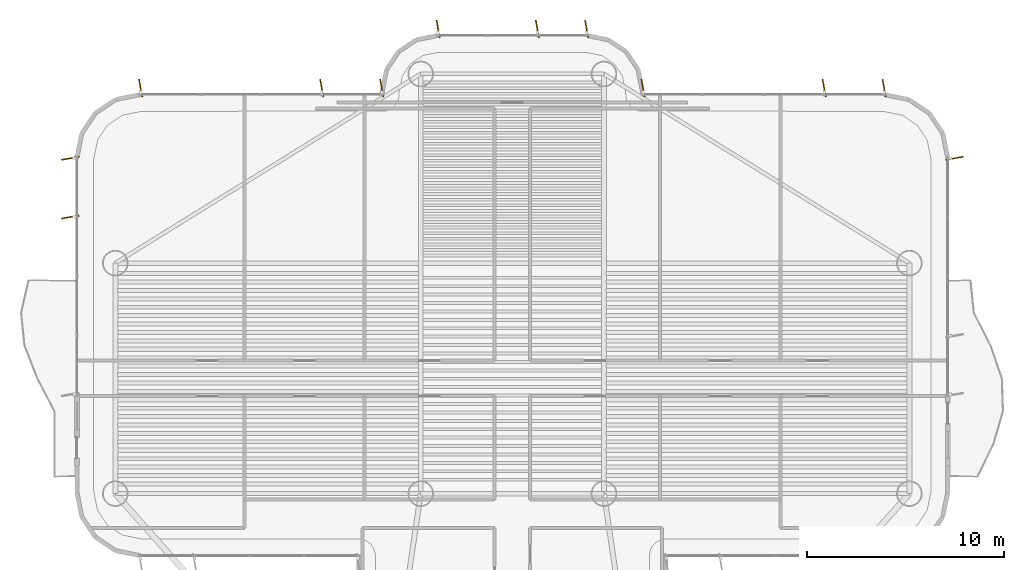
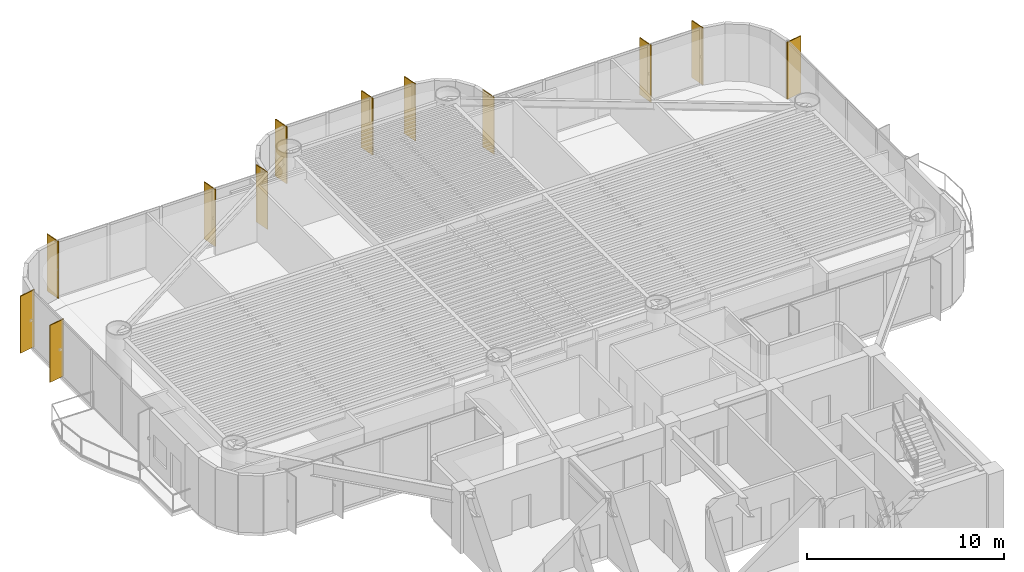
# One storey, part 16 of 16: 12 shading devices.
"""IFC4 building model written with IfcOpenShell, lengths in metres."""

import ifcopenshell
import ifcopenshell.guid

model = None  # the IFC model being written
_history = None  # IfcOwnerHistory: only IFC2X3 demands one
_inside = {}  # id of a spatial element -> (the spatial element, [elements in it])
_under = {}  # id of a project, library or spatial element -> (it, [spatial elements below it])
_declared = {}  # id of a project -> (the project, [libraries it declares])
_typed = {}  # id of a type object -> (the type object, [elements of that type])
_made_of = {}  # id of a material, layer set ... -> (it, [elements and type objects made of it])


def new_model(schema):
    """Start an empty IFC model of exactly this schema.

    Asked for "IFC4X3", IfcOpenShell would pick the latest addendum, in which some entities
    have other attributes; the version numbers below select the first issue.
    IFC2X3 requires an IfcOwnerHistory on every rooted entity: one is made here for all.
    """
    global model, _history
    if schema == "IFC4X3":
        model = ifcopenshell.file(schema_version=(4, 3, 0, 0))
    else:
        model = ifcopenshell.file(schema=schema)
    _inside.clear()
    _under.clear()
    _declared.clear()
    _typed.clear()
    _made_of.clear()
    _history = None
    if model.schema == "IFC2X3":
        org = make("IfcOrganization", Name="unknown")
        user = make(
            "IfcPersonAndOrganization",
            ThePerson=make("IfcPerson", FamilyName="unknown"),
            TheOrganization=org,
        )
        app = make(
            "IfcApplication",
            ApplicationDeveloper=org,
            Version="unknown",
            ApplicationFullName="unknown",
            ApplicationIdentifier="unknown",
        )
        _history = make(
            "IfcOwnerHistory",
            OwningUser=user,
            OwningApplication=app,
            ChangeAction="ADDED",
            CreationDate=0,
        )
    return model


def make(cls, **values):
    """One entity of the class cls with the attributes given. An attribute that is None is left unset."""
    return model.create_entity(
        cls, **{name: value for name, value in values.items() if value is not None}
    )


def rooted(cls, **values):
    """An entity with a GlobalId (a new one), such as an element, a storey or a relation."""
    return make(cls, GlobalId=ifcopenshell.guid.new(), OwnerHistory=_history, **values)


def si_unit(unit_type, name, prefix=None):
    """IfcSIUnit, for example si_unit("LENGTHUNIT", "METRE", prefix="MILLI")."""
    return make("IfcSIUnit", UnitType=unit_type, Prefix=prefix, Name=name)


def assignment(units):
    """IfcUnitAssignment: the units of a project."""
    return None if units is None else make("IfcUnitAssignment", Units=units)


def point(xyz):
    """IfcCartesianPoint."""
    return None if xyz is None else make("IfcCartesianPoint", Coordinates=xyz)


def direction(xyz):
    """IfcDirection."""
    return None if xyz is None else make("IfcDirection", DirectionRatios=xyz)


def frame(location, z_axis=None, x_axis=None):
    """IfcAxis2Placement3D, a coordinate frame: its origin and axes. An axis left out is left unset."""
    return make(
        "IfcAxis2Placement3D",
        Location=point(location),
        Axis=direction(z_axis),
        RefDirection=direction(x_axis),
    )


def frame_2d(location, x_axis=None):
    """IfcAxis2Placement2D, a coordinate frame in the plane: its origin and x axis."""
    return make(
        "IfcAxis2Placement2D", Location=point(location), RefDirection=direction(x_axis)
    )


def origin():
    """The frame at (0, 0, 0) with its axes left unset."""
    return frame((0.0, 0.0, 0.0))


def origin_2d():
    """The frame at (0, 0) in the plane with its x axis left unset."""
    return frame_2d((0.0, 0.0))


def place(relative_to, where):
    """IfcLocalPlacement: puts the frame where relative to a parent placement (None: the world)."""
    return make(
        "IfcLocalPlacement", PlacementRelTo=relative_to, RelativePlacement=where
    )


def context(
    kind, dimensions, precision=None, world=None, true_north=None, identifier=None
):
    """IfcGeometricRepresentationContext, for example the 3D "Model" context."""
    return make(
        "IfcGeometricRepresentationContext",
        ContextIdentifier=identifier,
        ContextType=kind,
        CoordinateSpaceDimension=dimensions,
        Precision=precision,
        WorldCoordinateSystem=world,
        TrueNorth=true_north,
    )


def subcontext(parent, identifier, kind, view, scale=None):
    """IfcGeometricRepresentationSubContext, for example "Body" below "Model"."""
    return make(
        "IfcGeometricRepresentationSubContext",
        ContextIdentifier=identifier,
        ContextType=kind,
        ParentContext=parent,
        TargetScale=scale,
        TargetView=view,
    )


def project(units=None, contexts=None):
    """IfcProject with its units and contexts."""
    return rooted(
        "IfcProject",
        Name="project",
        RepresentationContexts=contexts,
        UnitsInContext=assignment(units),
    )


def spatial(cls, under=None, at=None, **own):
    """A site, building, storey or space (cls), placed at a placement, below another one or the project."""
    s = rooted(cls, ObjectPlacement=at, **own)
    if under is not None:
        _under.setdefault(under.id(), (under, []))[1].append(s)
    return s


def profile(cls, at=None, kind="AREA", **sizes):
    """A parametric profile (cls). Its sizes go by their IFC names, for example OverallWidth=200.0."""
    return make(cls, ProfileType=kind, Position=at, **sizes)


def rectangle(**sizes):
    """IfcRectangleProfileDef."""
    return profile("IfcRectangleProfileDef", **sizes)


def extrude(swept, where, along, depth):
    """IfcExtrudedAreaSolid: the profile swept, set in the frame where, extruded along a direction by depth."""
    return make(
        "IfcExtrudedAreaSolid",
        SweptArea=swept,
        Position=where,
        ExtrudedDirection=direction(along),
        Depth=depth,
    )


def shape(context_of_items, identifier, shape_type, items):
    """IfcShapeRepresentation: the items that make up one representation, for example the "Body"."""
    return make(
        "IfcShapeRepresentation",
        ContextOfItems=context_of_items,
        RepresentationIdentifier=identifier,
        RepresentationType=shape_type,
        Items=items,
    )


def source(mapping_origin, context_of_items, identifier, shape_type, items):
    """IfcRepresentationMap: a shape defined once, which mapped items show again and again."""
    return make(
        "IfcRepresentationMap",
        MappingOrigin=mapping_origin,
        MappedRepresentation=shape(context_of_items, identifier, shape_type, items),
    )


def transform(
    local_origin,
    x_axis=None,
    y_axis=None,
    z_axis=None,
    scale=None,
    scale2=None,
    scale3=None,
    uniform=True,
):
    """IfcCartesianTransformationOperator3D, or its non-uniform kind. x_axis, y_axis, z_axis: its Axis1, 2, 3."""
    if uniform:
        return make(
            "IfcCartesianTransformationOperator3D",
            Axis1=direction(x_axis),
            Axis2=direction(y_axis),
            LocalOrigin=point(local_origin),
            Scale=scale,
            Axis3=direction(z_axis),
        )
    return make(
        "IfcCartesianTransformationOperator3DnonUniform",
        Axis1=direction(x_axis),
        Axis2=direction(y_axis),
        LocalOrigin=point(local_origin),
        Scale=scale,
        Axis3=direction(z_axis),
        Scale2=scale2,
        Scale3=scale3,
    )


def mapped(mapping_source, mapping_target):
    """IfcMappedItem: shows the shape of a source again, moved by a transform."""
    return make(
        "IfcMappedItem", MappingSource=mapping_source, MappingTarget=mapping_target
    )


def material(Name=None, Category=None):
    """IfcMaterial."""
    return make("IfcMaterial", Name=Name, Category=Category)


def material_profile(
    of_material, cross_section, Name=None, Category=None, Priority=None
):
    """IfcMaterialProfile: a cross section and its material."""
    return make(
        "IfcMaterialProfile",
        Name=Name,
        Material=of_material,
        Profile=cross_section,
        Priority=Priority,
        Category=Category,
    )


def profile_set(profiles, Name=None, composite=None):
    """IfcMaterialProfileSet."""
    return make(
        "IfcMaterialProfileSet",
        Name=Name,
        MaterialProfiles=profiles,
        CompositeProfile=composite,
    )


def made_of(thing, what):
    """Note that an element or type object is made of a material, layer set ...; save() writes the relation."""
    if what is not None:
        _made_of.setdefault(what.id(), (what, []))[1].append(thing)
    return thing


def type_object(cls, material=None, **own):
    """A type object (cls), such as IfcWallType, which elements share."""
    return made_of(rooted(cls, **own), material)


def element(
    cls,
    number,
    at=None,
    inside=None,
    cuts=None,
    type_object=None,
    material=None,
    context=None,
    identifier="Body",
    shape_type=None,
    held_by="IfcProductDefinitionShape",
    body=None,
    shapes=None,
    **own,
):
    """One element of the class cls, such as IfcWall. Its Tag is "e" and its number.

    at: its placement. inside: the storey or other place that contains it. cuts: it is an
    opening in that element (IfcRelVoidsElement). A single representation is given by context,
    identifier, shape_type and body (its items); several are given by shapes. held_by: the class
    of the entity that holds the representations. save() writes the other relations.
    """
    e = rooted(cls, Tag="e%d" % number, ObjectPlacement=at, **own)
    if body is not None:
        shapes = [shape(context, identifier, shape_type, body)]
    if shapes is not None:
        e.Representation = make(held_by, Representations=shapes)
    if inside is not None:
        _inside.setdefault(inside.id(), (inside, []))[1].append(e)
    if cuts is not None:
        rooted(
            "IfcRelVoidsElement", RelatingBuildingElement=cuts, RelatedOpeningElement=e
        )
    if type_object is not None:
        _typed.setdefault(type_object.id(), (type_object, []))[1].append(e)
    return made_of(e, material)


def aggregate(whole, parts):
    """IfcRelAggregates: a whole, such as a stair, and the parts it consists of."""
    return rooted("IfcRelAggregates", RelatingObject=whole, RelatedObjects=parts)


def save(model, path):
    """Write the relations noted so far, then the file.

    IfcRelAggregates (storeys below a building ...), IfcRelContainedInSpatialStructure (elements
    in a storey), IfcRelDefinesByType, IfcRelAssociatesMaterial and IfcRelDeclares: one each for
    every whole, place, type object, material and project.
    """
    for whole, parts in _under.values():
        aggregate(whole, parts)
    for where, things in _inside.values():
        rooted(
            "IfcRelContainedInSpatialStructure",
            RelatedElements=things,
            RelatingStructure=where,
        )
    for kind, things in _typed.values():
        rooted("IfcRelDefinesByType", RelatedObjects=things, RelatingType=kind)
    for what, things in _made_of.values():
        rooted("IfcRelAssociatesMaterial", RelatedObjects=things, RelatingMaterial=what)
    for by, libraries in _declared.values():
        rooted("IfcRelDeclares", RelatingContext=by, RelatedDefinitions=libraries)
    model.write(path)


model = new_model("IFC4")

# Units and contexts
model_context = context("Model", 3, precision=1e-05, world=origin(), true_north=direction((0.0, 1.0)))
body_context = subcontext(model_context, "Body", "Model", "MODEL_VIEW")
ifc_project = project(units=[si_unit("LENGTHUNIT", "METRE"), si_unit("AREAUNIT", "SQUARE_METRE"), si_unit("VOLUMEUNIT", "CUBIC_METRE"), si_unit("PLANEANGLEUNIT", "RADIAN"), si_unit("MASSUNIT", "GRAM", prefix="KILO")], contexts=[model_context])

# Site, building, storey
site_placement = place(None, origin())
site = spatial("IfcSite", under=ifc_project, at=site_placement, CompositionType="ELEMENT")
building_placement = place(site_placement, origin())
building = spatial("IfcBuilding", under=site, at=building_placement, Name="Brelvock Crest Care Tower", CompositionType="ELEMENT")
storey_placement = place(building_placement, frame((0.0, 0.0, 108.719970703125)))
storey = spatial("IfcBuildingStorey", under=building, at=storey_placement, Name="L27", CompositionType="ELEMENT", Elevation=108.719970703125)

# Shading devices
ifc_material = material(Name="Aluminium 6063-T6", Category="aluminium")
ifc_material_profile = material_profile(ifc_material, rectangle(XDim=0.054931640625, YDim=0.89990234375, at=origin_2d()), Name="FIN55x900")
ifc_profile_set = profile_set([ifc_material_profile], Name="Aluminium 6063-T6")
shading_device_type = type_object("IfcShadingDeviceType", Name="SHD-FIN1", PredefinedType="USERDEFINED", material=ifc_profile_set)
shared_shape = source(origin(), body_context, "Body", "SweptSolid", [
    extrude(rectangle(XDim=0.054931640625, YDim=0.89990234375, at=origin_2d()), origin(), (0.0, 0.0, 1.0), 3.530029296875),
])
for number, where, z_axis, x_axis, name in (
    (1, (13.56005859375, 41.1875, 0.0), (0.0, 0.0, 1.0), (-0.173648177667, 0.984807753012, 0.0), "L27 Vertical Sunshade Fin E17B-04"),
    (2, (13.56005859375, 44.169921875, 0.0), (0.0, 0.0, 1.0), (-0.173648177667, 0.984807753012, 0.0), "L27 Vertical Sunshade Fin E17B-05"),
    (3, (17.1298828125, 47.739990234375, 0.0), (0.0, 0.0, 1.0), (0.984807753012, 0.173648177667, 0.0), "L27 Vertical Sunshade Fin E22-01"),
    (4, (26.324951171875, 47.739990234375, 0.0), (0.0, 0.0, 1.0), (0.984807753012, 0.173648177667, 0.0), "L27 Vertical Sunshade Fin E22-04"),
    (5, (29.3701171875, 47.739990234375, 0.0), (0.0, 0.0, 1.0), (0.984807753012, 0.173648177667, 0.0), "L27 Vertical Sunshade Fin E22-05"),
    (6, (32.22998046875, 50.739990234375, 0.0), (0.0, 0.0, 1.0), (0.984807753012, 0.173648177667, 0.0), "L27 Vertical Sunshade Fin E28-01"),
    (7, (37.2666015625, 50.739990234375, 0.0), (0.0, 0.0, 1.0), (0.984807753012, 0.173648177667, 0.0), "L27 Vertical Sunshade Fin E28-03"),
    (8, (39.77001953125, 50.739990234375, 0.0), (0.0, 0.0, 1.0), (0.984807753012, 0.173648177667, 0.0), "L27 Vertical Sunshade Fin E28-04"),
    (9, (42.6298828125, 47.739990234375, 0.0), (0.0, 0.0, 1.0), (0.984807753012, 0.173648177667, 0.0), "L27 Vertical Sunshade Fin E34-01"),
    (10, (51.824951171875, 47.739990234375, 0.0), (0.0, 0.0, 1.0), (0.984807753012, 0.173648177667, 0.0), "L27 Vertical Sunshade Fin E34-04"),
    (11, (54.8701171875, 47.739990234375, 0.0), (0.0, 0.0, 1.0), (0.984807753012, 0.173648177667, 0.0), "L27 Vertical Sunshade Fin E34-05"),
    (12, (58.43994140625, 44.169921875, 0.0), (0.0, 0.0, 1.0), (0.173648177667, -0.984807753012, 0.0), "L27 Vertical Sunshade Fin E39A-01"),
):
    element("IfcShadingDevice", number, at=place(storey_placement, frame(where, z_axis=z_axis, x_axis=x_axis)), inside=storey, type_object=shading_device_type, Name=name, ObjectType="FIN", PredefinedType="USERDEFINED", context=body_context, shape_type="MappedRepresentation", body=[
        mapped(shared_shape, transform((0.0, 0.0, 0.0), x_axis=(1.0, 0.0, 0.0), y_axis=(0.0, 1.0, 0.0), z_axis=(0.0, 0.0, 1.0), scale=1.0)),
    ])

save(model, "model.ifc")
